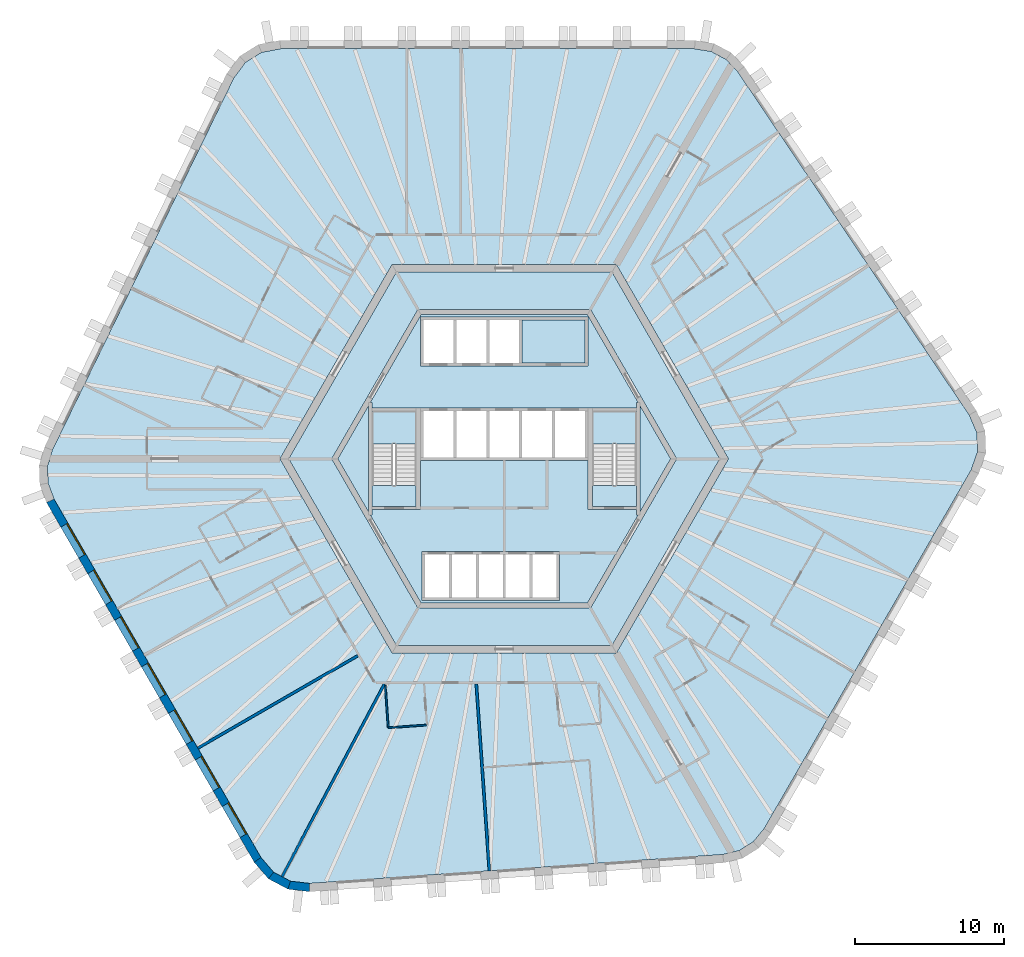
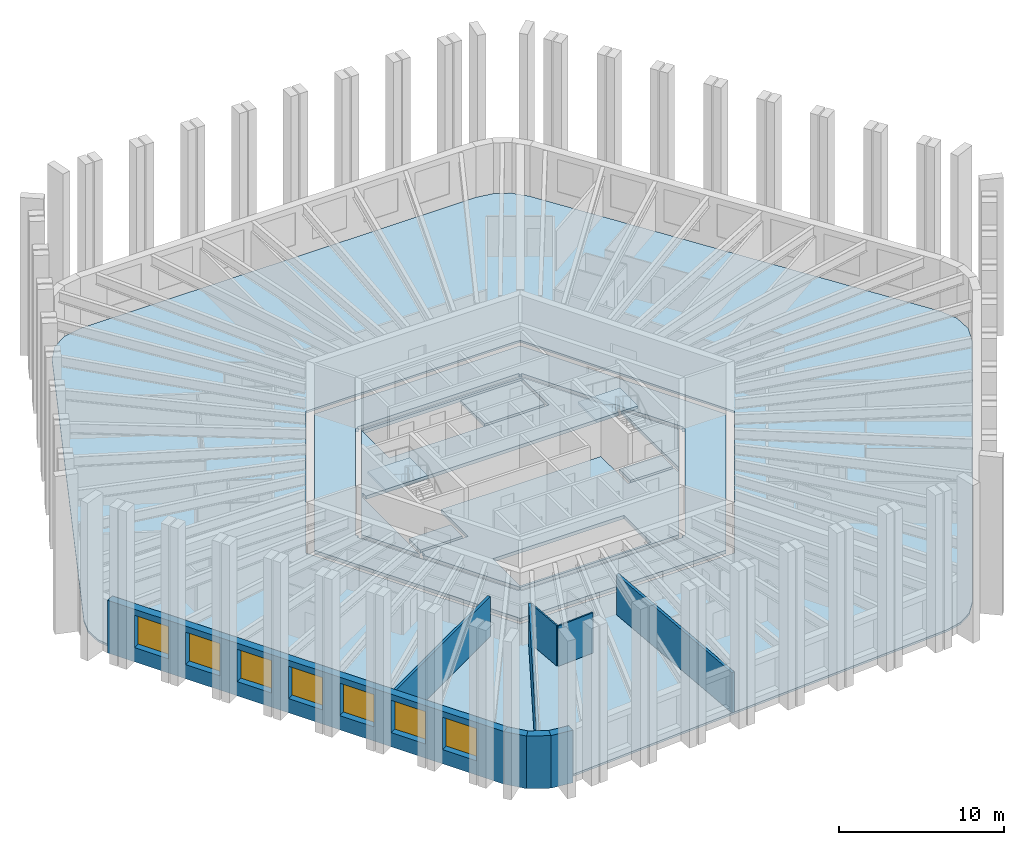
# One storey, part 2 of 10: 11 slabs, 9 walls, 7 windows, 7 openings, 2 elements without a shape of their own.
"""IFC4 building model written with IfcOpenShell, lengths in metres."""

from ifc_helpers import new_model, si_unit, direction, frame, frame_2d, origin, place, context, subcontext, project, spatial, polyline, rectangle, outline, extrude, material, layer, layer_set, type_object, element, fill, aggregate, save


model = new_model("IFC4")

# Units and contexts
model_context = context("Model", 3, precision=1e-05, world=origin(), true_north=direction((0.0, 1.0)))
body_context = subcontext(model_context, "Body", "Model", "MODEL_VIEW")
ifc_project = project(units=[si_unit("LENGTHUNIT", "METRE"), si_unit("AREAUNIT", "SQUARE_METRE"), si_unit("VOLUMEUNIT", "CUBIC_METRE"), si_unit("PLANEANGLEUNIT", "RADIAN"), si_unit("MASSUNIT", "GRAM", prefix="KILO")], contexts=[model_context])

# Site, building, storey
site_placement = place(None, origin())
site = spatial("IfcSite", under=ifc_project, at=site_placement, CompositionType="ELEMENT")
building_placement = place(site_placement, origin())
building = spatial("IfcBuilding", under=site, at=building_placement, Name="Tarnside Tower", CompositionType="ELEMENT")
storey_placement = place(building_placement, frame((0.0, 0.0, 164.39990234375)))
storey = spatial("IfcBuildingStorey", under=building, at=storey_placement, Name="L38", CompositionType="ELEMENT", Elevation=164.39990234375)

# Slabs
ifc_material_1 = material(Name="Concrete C35/45", Category="concrete")
ifc_layer_1 = layer(ifc_material_1, 0.14990234375)
ifc_layer_set_1 = layer_set([ifc_layer_1], Name="Composite floor slab 150")
slab_type_1 = type_object("IfcSlabType", Name="Composite floor slab 150", PredefinedType="FLOOR", material=ifc_layer_set_1)
slab_1_placement = place(storey_placement, frame((0.0, 0.0, -0.14990234375)))
element("IfcSlab", 1, at=slab_1_placement, inside=storey, type_object=slab_type_1, Name="Floor slab L38", PredefinedType="FLOOR", context=body_context, shape_type="SweptSolid", body=[
    extrude(outline(polyline([(13.864013671875, 27.264892578125), (14.85107421875, 26.740234375), (15.6337890625, 25.91064453125), (31.12890625, 2.938232421875), (31.644287109375, 1.7431640625), (31.68896484375, 0.468505859375), (31.258056640625, -0.759521484375), (17.403076171875, -24.7568359375), (16.68017578125, -25.63916015625), (15.732177734375, -26.2314453125), (14.622314453125, -26.494384765625), (-13.02001953125, -28.427490234375), (-14.3125, -28.2763671875), (-15.438720703125, -27.677490234375), (-16.286865234375, -26.6904296875), (-30.1416015625, -2.693115234375), (-30.544189453125, -1.6259765625), (-30.583251953125, -0.5087890625), (-30.256103515625, 0.583984375), (-18.10888671875, 25.4892578125), (-17.331787109375, 26.533203125), (-16.250244140625, 27.208984375), (-14.97119140625, 27.449951171875), (12.738525390625, 27.449951171875), (13.864013671875, 27.264892578125)]), holes=[polyline([(-15.010986328125, 0.0), (-7.505615234375, -13.0), (7.505615234375, -13.0), (15.010986328125, 0.0), (7.505615234375, 13.0), (-7.505615234375, 13.0), (-15.010986328125, 0.0)])]), origin(), (0.0, 0.0, 1.0), 0.14990234375),
])
ifc_material_2 = material(Name="Concrete C40/50", Category="concrete")
ifc_layer_2 = layer(ifc_material_2, 0.25)
ifc_layer_set_2 = layer_set([ifc_layer_2], Name="Core slab C40/50")
slab_type_2 = type_object("IfcSlabType", Name="Core slab C40/50", PredefinedType="FLOOR", material=ifc_layer_set_2)
slab_2_placement = place(storey_placement, frame((0.0, 0.0, -0.25)))
element("IfcSlab", 2, at=slab_2_placement, inside=storey, type_object=slab_type_2, Name="L38 core floor slab 1", PredefinedType="FLOOR", context=body_context, shape_type="SweptSolid", body=[
    extrude(outline(polyline([(-7.216796875, 12.5), (7.216796875, 12.5), (14.433837890625, 0.0), (7.216796875, -12.5), (-7.216796875, -12.5), (-14.433837890625, 0.0), (-7.216796875, 12.5)]), holes=[polyline([(5.823974609375, -9.91259765625), (11.49658203125, -0.08740234375), (11.344970703125, 0.0), (11.49658203125, 0.08740234375), (5.823974609375, 9.91259765625), (5.672607421875, 9.824951171875), (5.672607421875, 10.0), (-5.672607421875, 10.0), (-5.672607421875, 9.824951171875), (-5.823974609375, 9.91259765625), (-11.49658203125, 0.08740234375), (-11.344970703125, 0.0), (-11.49658203125, -0.08740234375), (-5.823974609375, -9.91259765625), (-5.672607421875, -9.824951171875), (-5.672607421875, -10.0), (5.672607421875, -10.0), (5.672607421875, -9.824951171875), (5.823974609375, -9.91259765625)])]), origin(), (0.0, 0.0, 1.0), 0.25),
])
slab_3_placement = place(storey_placement, frame((0.0, 0.0, -0.25)))
element("IfcSlab", 3, at=slab_3_placement, inside=storey, type_object=slab_type_2, Name="L38 core floor slab 2", PredefinedType="FLOOR", context=body_context, shape_type="SweptSolid", body=[
    extrude(outline(polyline([(-8.97509765625, 3.7548828125), (-5.5712890625, 9.64990234375), (5.5712890625, 9.64990234375), (8.97509765625, 3.7548828125), (8.85009765625, 3.7548828125), (8.85009765625, 3.39990234375), (5.89990234375, 3.39990234375), (5.60009765625, 3.39990234375), (5.60009765625, 3.39990234375), (-5.60009765625, 3.39990234375), (-5.89990234375, 3.39990234375), (-8.85009765625, 3.39990234375), (-8.85009765625, 3.7548828125), (-8.97509765625, 3.7548828125)]), holes=[polyline([(-5.60009765625, 6.199951171875), (5.60009765625, 6.199951171875), (5.60009765625, 6.39990234375), (5.60009765625, 9.300048828125), (5.60009765625, 9.5), (-5.60009765625, 9.5), (-5.60009765625, 9.300048828125), (-5.60009765625, 6.39990234375), (-5.60009765625, 6.199951171875)])]), origin(), (0.0, 0.0, 1.0), 0.25),
])
slab_4_placement = place(storey_placement, frame((0.0, 0.0, -0.25)))
element("IfcSlab", 4, at=slab_4_placement, inside=storey, type_object=slab_type_2, Name="L38 core floor slab 3", PredefinedType="FLOOR", context=body_context, shape_type="SweptSolid", body=[
    extrude(outline(polyline([(5.60009765625, -3.39990234375), (5.89990234375, -3.39990234375), (8.85009765625, -3.39990234375), (8.85009765625, -3.7548828125), (8.97509765625, -3.7548828125), (5.5712890625, -9.64990234375), (-5.5712890625, -9.64990234375), (-8.97509765625, -3.7548828125), (-8.85009765625, -3.7548828125), (-8.85009765625, -3.39990234375), (-5.89990234375, -3.39990234375), (-5.60009765625, -3.39990234375), (-5.60009765625, -0.10009765625), (5.60009765625, -0.10009765625), (5.60009765625, -3.39990234375)]), holes=[polyline([(-5.5, -9.300048828125), (-5.5, -9.5), (3.699951171875, -9.5), (3.699951171875, -9.300048828125), (3.699951171875, -6.39990234375), (3.699951171875, -6.199951171875), (-5.5, -6.199951171875), (-5.5, -6.39990234375), (-5.5, -9.300048828125)])]), origin(), (0.0, 0.0, 1.0), 0.25),
])
slab_5_placement = place(storey_placement, frame((0.0, 0.0, -0.25)))
element("IfcSlab", 5, at=slab_5_placement, inside=storey, type_object=slab_type_2, Name="L38 core floor slab 4", PredefinedType="FLOOR", context=body_context, shape_type="SweptSolid", body=[
    extrude(outline(polyline([(-11.142822265625, 0.0), (-9.10009765625, 3.538330078125), (-9.10009765625, -3.538330078125), (-11.142822265625, 0.0)])), origin(), (0.0, 0.0, 1.0), 0.25),
])
slab_6_placement = place(storey_placement, frame((0.0, 0.0, -0.25)))
element("IfcSlab", 6, at=slab_6_placement, inside=storey, type_object=slab_type_2, Name="L38 core floor slab 5", PredefinedType="FLOOR", context=body_context, shape_type="SweptSolid", body=[
    extrude(outline(polyline([(-8.85009765625, -1.800048828125), (-5.89990234375, -1.800048828125), (-5.89990234375, -3.199951171875), (-8.85009765625, -3.199951171875), (-8.85009765625, -1.800048828125)])), origin(), (0.0, 0.0, 1.0), 0.25),
])
slab_7_placement = place(storey_placement, frame((0.0, 0.0, -0.25)))
element("IfcSlab", 7, at=slab_7_placement, inside=storey, type_object=slab_type_2, Name="L38 core floor slab 6", PredefinedType="FLOOR", context=body_context, shape_type="SweptSolid", body=[
    extrude(outline(polyline([(5.89990234375, -3.199951171875), (5.89990234375, -1.800048828125), (8.85009765625, -1.800048828125), (8.85009765625, -3.199951171875), (5.89990234375, -3.199951171875)])), origin(), (0.0, 0.0, 1.0), 0.25),
])
slab_8_placement = place(storey_placement, frame((0.0, 0.0, -0.25)))
element("IfcSlab", 8, at=slab_8_placement, inside=storey, type_object=slab_type_2, Name="L38 core floor slab 7", PredefinedType="FLOOR", context=body_context, shape_type="SweptSolid", body=[
    extrude(outline(polyline([(9.10009765625, -3.538330078125), (9.10009765625, 3.538330078125), (11.142822265625, 0.0), (9.10009765625, -3.538330078125)])), origin(), (0.0, 0.0, 1.0), 0.25),
])
slab_9_placement = place(storey_placement, frame((0.0, 0.0, -0.25)))
element("IfcSlab", 9, at=slab_9_placement, inside=storey, type_object=slab_type_2, Name="L38 core floor slab 8", PredefinedType="FLOOR", context=body_context, shape_type="SweptSolid", body=[
    extrude(outline(polyline([(5.39990234375, 9.300048828125), (5.39990234375, 6.39990234375), (1.199951171875, 6.39990234375), (1.199951171875, 9.300048828125), (5.39990234375, 9.300048828125)])), origin(), (0.0, 0.0, 1.0), 0.25),
])

# Stair, slab
stair_type = type_object("IfcStairType", Name="Exit stair 1400 clear", PredefinedType="HALF_TURN_STAIR", material=ifc_material_2)
stair_1_placement = place(storey_placement, origin())
stair_1 = element("IfcStair", 10, at=stair_1_placement, inside=storey, type_object=stair_type, Name="L38 Exit stair 1", PredefinedType="HALF_TURN_STAIR")
ifc_layer_3 = layer(ifc_material_2, 0.199951171875)
ifc_layer_set_3 = layer_set([ifc_layer_3], Name="Stair landing 200 C40/50")
slab_type_3 = type_object("IfcSlabType", Name="Stair landing 200 C40/50", PredefinedType="LANDING", material=ifc_layer_set_3)
slab_10_placement = place(storey_placement, frame((0.0, 0.0, 1.75)))
slab_10 = element("IfcSlab", 11, at=slab_10_placement, type_object=slab_type_3, Name="ST1 landing 1", PredefinedType="LANDING", context=body_context, shape_type="SweptSolid", body=[
    extrude(outline(polyline([(8.85009765625, 1.0), (8.85009765625, 3.199951171875), (5.89990234375, 3.199951171875), (5.89990234375, 1.0), (8.85009765625, 1.0)])), origin(), (0.0, 0.0, 1.0), 0.2001953125),
])
aggregate(stair_1, [slab_10])

stair_2_placement = place(storey_placement, origin())
stair_2 = element("IfcStair", 12, at=stair_2_placement, inside=storey, type_object=stair_type, Name="L38 Exit stair 2", PredefinedType="HALF_TURN_STAIR")
slab_11_placement = place(storey_placement, frame((0.0, 0.0, 1.75)))
slab_11 = element("IfcSlab", 13, at=slab_11_placement, type_object=slab_type_3, Name="ST2 landing 1", PredefinedType="LANDING", context=body_context, shape_type="SweptSolid", body=[
    extrude(outline(polyline([(-5.89990234375, 1.0), (-5.89990234375, 3.199951171875), (-8.85009765625, 3.199951171875), (-8.85009765625, 1.0), (-5.89990234375, 1.0)])), origin(), (0.0, 0.0, 1.0), 0.2001953125),
])
aggregate(stair_2, [slab_11])

# Walls
ifc_material_3 = material(Name="Gypsum board partition on steel studs", Category="steel")
ifc_layer_4 = layer(ifc_material_3, 0.10009765625)
ifc_layer_set_4 = layer_set([ifc_layer_4], Name="Bathroom wall 100")
wall_type_1 = type_object("IfcWallType", Name="Bathroom wall 100", PredefinedType="PARTITIONING", material=ifc_layer_set_4)
wall_1_placement = place(storey_placement, frame((-5.2216796875, -17.82763671875, 0.0), z_axis=(0.0, 0.0, 1.0), x_axis=(-0.997567829494, -0.069702407128, 0.0)))
element("IfcWall", 14, at=wall_1_placement, inside=storey, type_object=wall_type_1, Name="Bathroom wall 12077", PredefinedType="PARTITIONING", context=body_context, shape_type="SweptSolid", body=[
    extrude(rectangle(XDim=2.5498046875, YDim=0.10009765625, at=frame_2d((1.27490234375, 0.0))), origin(), (0.0, 0.0, 1.0), 2.98779296875),
])
wall_2_placement = place(storey_placement, frame((-7.76904296875, -17.95556640625, 0.0), z_axis=(0.0, 0.0, 1.0), x_axis=(-0.069756058123, 0.997564079323, 0.0)))
element("IfcWall", 15, at=wall_2_placement, inside=storey, type_object=wall_type_1, Name="Bathroom wall 12078", PredefinedType="PARTITIONING", context=body_context, shape_type="SweptSolid", body=[
    extrude(rectangle(XDim=2.79296875, YDim=0.10009765625, at=frame_2d((1.396484375, 0.0))), origin(), (0.0, 0.0, 1.0), 2.98779296875),
])
ifc_layer_5 = layer(ifc_material_3, 0.179931640625)
ifc_layer_set_5 = layer_set([ifc_layer_5], Name="Demising wall 180 EI 60")
wall_type_2 = type_object("IfcWallType", Name="Demising wall 180 EI 60", PredefinedType="PARTITIONING", material=ifc_layer_set_5)
wall_3_placement = place(storey_placement, frame((-20.513427734375, -19.36962890625, 0.0), z_axis=(0.0, 0.0, 1.0), x_axis=(0.866024931941, 0.500000817256, 0.0)))
element("IfcWall", 16, at=wall_3_placement, inside=storey, type_object=wall_type_2, Name="Demising wall 12074", PredefinedType="PARTITIONING", context=body_context, shape_type="SweptSolid", body=[
    extrude(rectangle(XDim=12.375, YDim=0.179931640625, at=frame_2d((6.1875, 0.0))), origin(), (0.0, 0.0, 1.0), 2.98779296875),
])
wall_4_placement = place(storey_placement, frame((-14.875732421875, -27.97705078125, 0.0), z_axis=(0.0, 0.0, 1.0), x_axis=(0.469468328163, 0.882949312731, 0.0)))
element("IfcWall", 17, at=wall_4_placement, inside=storey, type_object=wall_type_2, Name="Demising wall 12075", PredefinedType="PARTITIONING", context=body_context, shape_type="SweptSolid", body=[
    extrude(rectangle(XDim=14.612548828125, YDim=0.179931640625, at=frame_2d((7.30615234375, 0.0))), origin(), (0.0, 0.0, 1.0), 2.98779296875),
])
wall_5_placement = place(storey_placement, frame((-0.99609375, -27.586669921875, 0.0), z_axis=(0.0, 0.0, 1.0), x_axis=(-0.069744671963, 0.997564875451, 0.0)))
element("IfcWall", 18, at=wall_5_placement, inside=storey, type_object=wall_type_2, Name="Demising wall 12079", PredefinedType="PARTITIONING", context=body_context, shape_type="SweptSolid", body=[
    extrude(rectangle(XDim=12.542236328125, YDim=0.179931640625, at=frame_2d((6.27099609375, 0.0))), origin(), (0.0, 0.0, 1.0), 2.98779296875),
])

# Wall, openings, windows
ifc_material_4 = material(Name="Facing brick", Category="masonry")
ifc_layer_6 = layer(ifc_material_4, 0.10205078125)
ifc_material_5 = material(Name="Concrete C60/75 precast", Category="concrete")
ifc_layer_7 = layer(ifc_material_5, 0.347900390625)
ifc_material_6 = material(Name="Mineral wool insulation")
ifc_layer_8 = layer(ifc_material_6, 0.10009765625)
ifc_layer_set_6 = layer_set([ifc_layer_6, ifc_layer_7, ifc_layer_8], Name="Tube wall 550 brick faced")
wall_type_3 = type_object("IfcWallType", Name="Tube wall 550 brick faced", PredefinedType="SOLIDWALL", material=ifc_layer_set_6)
wall_6_placement = place(storey_placement, frame((-30.39111328125, -2.81103515625, -0.14990234375), z_axis=(0.0, 0.0, 1.0), x_axis=(0.499998569178, -0.866026229868, 0.0)))
wall_6 = element("IfcWall", 19, at=wall_6_placement, inside=storey, type_object=wall_type_3, Name="Tube wall L38 F3 flush 08", PredefinedType="SOLIDWALL", context=body_context, shape_type="SweptSolid", body=[
    extrude(outline(polyline([(-0.0224609375, -0.27490234375), (27.783447265625, -0.27490234375), (27.732177734375, 0.27490234375), (0.0224609375, 0.27490234375), (-0.0224609375, -0.27490234375)])), origin(), (0.0, 0.0, 1.0), 3.89990234375),
])
opening_1_placement = place(wall_6_placement, frame((1.87890625, 0.0, 1.050048828125)))
opening_1 = element("IfcOpeningElement", 20, at=opening_1_placement, cuts=wall_6, Name="Opening WH", PredefinedType="OPENING", context=body_context, shape_type="SweptSolid", body=[
    extrude(rectangle(XDim=2.39990234375, YDim=2.39990234375, at=frame_2d((1.199951171875, 1.199951171875))), frame((0.0, 0.28515625, 0.0), z_axis=(0.0, -1.0, 0.0), x_axis=(1.0, 0.0, 0.0)), (0.0, 0.0, 1.0), 0.570068359375),
])
opening_2_placement = place(wall_6_placement, frame((5.47900390625, 0.0, 1.050048828125)))
opening_2 = element("IfcOpeningElement", 21, at=opening_2_placement, cuts=wall_6, Name="Opening WH", PredefinedType="OPENING", context=body_context, shape_type="SweptSolid", body=[
    extrude(rectangle(XDim=2.39990234375, YDim=2.39990234375, at=frame_2d((1.199951171875, 1.199951171875))), frame((0.0, 0.28515625, 0.0), z_axis=(0.0, -1.0, 0.0), x_axis=(1.0, 0.0, 0.0)), (0.0, 0.0, 1.0), 0.570068359375),
])
opening_3_placement = place(wall_6_placement, frame((9.078857421875, 0.0, 1.050048828125)))
opening_3 = element("IfcOpeningElement", 22, at=opening_3_placement, cuts=wall_6, Name="Opening WH", PredefinedType="OPENING", context=body_context, shape_type="SweptSolid", body=[
    extrude(rectangle(XDim=2.39990234375, YDim=2.39990234375, at=frame_2d((1.199951171875, 1.199951171875))), frame((0.0, 0.28515625, 0.0), z_axis=(0.0, -1.0, 0.0), x_axis=(1.0, 0.0, 0.0)), (0.0, 0.0, 1.0), 0.570068359375),
])
opening_4_placement = place(wall_6_placement, frame((12.678955078125, 0.0, 1.050048828125)))
opening_4 = element("IfcOpeningElement", 23, at=opening_4_placement, cuts=wall_6, Name="Opening WH", PredefinedType="OPENING", context=body_context, shape_type="SweptSolid", body=[
    extrude(rectangle(XDim=2.39990234375, YDim=2.39990234375, at=frame_2d((1.199951171875, 1.199951171875))), frame((0.0, 0.28515625, 0.0), z_axis=(0.0, -1.0, 0.0), x_axis=(1.0, 0.0, 0.0)), (0.0, 0.0, 1.0), 0.570068359375),
])
opening_5_placement = place(wall_6_placement, frame((16.27880859375, 0.0, 1.050048828125)))
opening_5 = element("IfcOpeningElement", 24, at=opening_5_placement, cuts=wall_6, Name="Opening WH", PredefinedType="OPENING", context=body_context, shape_type="SweptSolid", body=[
    extrude(rectangle(XDim=2.39990234375, YDim=2.39990234375, at=frame_2d((1.199951171875, 1.199951171875))), frame((0.0, 0.28515625, 0.0), z_axis=(0.0, -1.0, 0.0), x_axis=(1.0, 0.0, 0.0)), (0.0, 0.0, 1.0), 0.570068359375),
])
opening_6_placement = place(wall_6_placement, frame((19.87890625, 0.0, 1.050048828125)))
opening_6 = element("IfcOpeningElement", 25, at=opening_6_placement, cuts=wall_6, Name="Opening WH", PredefinedType="OPENING", context=body_context, shape_type="SweptSolid", body=[
    extrude(rectangle(XDim=2.39990234375, YDim=2.39990234375, at=frame_2d((1.199951171875, 1.199951171875))), frame((0.0, 0.28515625, 0.0), z_axis=(0.0, -1.0, 0.0), x_axis=(1.0, 0.0, 0.0)), (0.0, 0.0, 1.0), 0.570068359375),
])
opening_7_placement = place(wall_6_placement, frame((23.47900390625, 0.0, 1.050048828125)))
opening_7 = element("IfcOpeningElement", 26, at=opening_7_placement, cuts=wall_6, Name="Opening WH", PredefinedType="OPENING", context=body_context, shape_type="SweptSolid", body=[
    extrude(rectangle(XDim=2.39990234375, YDim=2.39990234375, at=frame_2d((1.199951171875, 1.199951171875))), frame((0.0, 0.28515625, 0.0), z_axis=(0.0, -1.0, 0.0), x_axis=(1.0, 0.0, 0.0)), (0.0, 0.0, 1.0), 0.570068359375),
])
ifc_material_7 = material(Name="Aluminium-framed double glazing", Category="aluminium")
window_type = type_object("IfcWindowType", Name="Hotel window 2400 x 2400", PartitioningType="DOUBLE_PANEL_VERTICAL", PredefinedType="WINDOW", material=ifc_material_7)
window_1_placement = place(opening_1_placement, frame((0.0, 0.205078125, 0.0)))
window_1 = element("IfcWindow", 27, at=window_1_placement, inside=storey, type_object=window_type, Name="E.WN.L38.F3.00", OverallHeight=2.39990234375, OverallWidth=2.39990234375, PartitioningType="DOUBLE_PANEL_VERTICAL", PredefinedType="WINDOW", context=body_context, shape_type="SweptSolid", body=[
    extrude(rectangle(XDim=2.39990234375, YDim=2.39990234375, at=frame_2d((1.199951171875, 1.199951171875))), frame((0.0, 0.030029296875, 0.0), z_axis=(0.0, -1.0, 0.0), x_axis=(1.0, 0.0, 0.0)), (0.0, 0.0, 1.0), 0.06005859375),
])
fill(opening_1, window_1)
window_2_placement = place(opening_2_placement, frame((0.0, 0.205078125, 0.0)))
window_2 = element("IfcWindow", 28, at=window_2_placement, inside=storey, type_object=window_type, Name="E.WN.L38.F3.01", OverallHeight=2.39990234375, OverallWidth=2.39990234375, PartitioningType="DOUBLE_PANEL_VERTICAL", PredefinedType="WINDOW", context=body_context, shape_type="SweptSolid", body=[
    extrude(rectangle(XDim=2.39990234375, YDim=2.39990234375, at=frame_2d((1.199951171875, 1.199951171875))), frame((0.0, 0.030029296875, 0.0), z_axis=(0.0, -1.0, 0.0), x_axis=(1.0, 0.0, 0.0)), (0.0, 0.0, 1.0), 0.06005859375),
])
fill(opening_2, window_2)
window_3_placement = place(opening_3_placement, frame((0.0, 0.205078125, 0.0)))
window_3 = element("IfcWindow", 29, at=window_3_placement, inside=storey, type_object=window_type, Name="E.WN.L38.F3.02", OverallHeight=2.39990234375, OverallWidth=2.39990234375, PartitioningType="DOUBLE_PANEL_VERTICAL", PredefinedType="WINDOW", context=body_context, shape_type="SweptSolid", body=[
    extrude(rectangle(XDim=2.39990234375, YDim=2.39990234375, at=frame_2d((1.199951171875, 1.199951171875))), frame((0.0, 0.030029296875, 0.0), z_axis=(0.0, -1.0, 0.0), x_axis=(1.0, 0.0, 0.0)), (0.0, 0.0, 1.0), 0.06005859375),
])
fill(opening_3, window_3)
window_4_placement = place(opening_4_placement, frame((0.0, 0.205078125, 0.0)))
window_4 = element("IfcWindow", 30, at=window_4_placement, inside=storey, type_object=window_type, Name="E.WN.L38.F3.03", OverallHeight=2.39990234375, OverallWidth=2.39990234375, PartitioningType="DOUBLE_PANEL_VERTICAL", PredefinedType="WINDOW", context=body_context, shape_type="SweptSolid", body=[
    extrude(rectangle(XDim=2.39990234375, YDim=2.39990234375, at=frame_2d((1.199951171875, 1.199951171875))), frame((0.0, 0.030029296875, 0.0), z_axis=(0.0, -1.0, 0.0), x_axis=(1.0, 0.0, 0.0)), (0.0, 0.0, 1.0), 0.06005859375),
])
fill(opening_4, window_4)
window_5_placement = place(opening_5_placement, frame((0.0, 0.205078125, 0.0)))
window_5 = element("IfcWindow", 31, at=window_5_placement, inside=storey, type_object=window_type, Name="E.WN.L38.F3.04", OverallHeight=2.39990234375, OverallWidth=2.39990234375, PartitioningType="DOUBLE_PANEL_VERTICAL", PredefinedType="WINDOW", context=body_context, shape_type="SweptSolid", body=[
    extrude(rectangle(XDim=2.39990234375, YDim=2.39990234375, at=frame_2d((1.199951171875, 1.199951171875))), frame((0.0, 0.030029296875, 0.0), z_axis=(0.0, -1.0, 0.0), x_axis=(1.0, 0.0, 0.0)), (0.0, 0.0, 1.0), 0.06005859375),
])
fill(opening_5, window_5)
window_6_placement = place(opening_6_placement, frame((0.0, 0.205078125, 0.0)))
window_6 = element("IfcWindow", 32, at=window_6_placement, inside=storey, type_object=window_type, Name="E.WN.L38.F3.05", OverallHeight=2.39990234375, OverallWidth=2.39990234375, PartitioningType="DOUBLE_PANEL_VERTICAL", PredefinedType="WINDOW", context=body_context, shape_type="SweptSolid", body=[
    extrude(rectangle(XDim=2.39990234375, YDim=2.39990234375, at=frame_2d((1.199951171875, 1.199951171875))), frame((0.0, 0.030029296875, 0.0), z_axis=(0.0, -1.0, 0.0), x_axis=(1.0, 0.0, 0.0)), (0.0, 0.0, 1.0), 0.06005859375),
])
fill(opening_6, window_6)
window_7_placement = place(opening_7_placement, frame((0.0, 0.205078125, 0.0)))
window_7 = element("IfcWindow", 33, at=window_7_placement, inside=storey, type_object=window_type, Name="E.WN.L38.F3.06", OverallHeight=2.39990234375, OverallWidth=2.39990234375, PartitioningType="DOUBLE_PANEL_VERTICAL", PredefinedType="WINDOW", context=body_context, shape_type="SweptSolid", body=[
    extrude(rectangle(XDim=2.39990234375, YDim=2.39990234375, at=frame_2d((1.199951171875, 1.199951171875))), frame((0.0, 0.030029296875, 0.0), z_axis=(0.0, -1.0, 0.0), x_axis=(1.0, 0.0, 0.0)), (0.0, 0.0, 1.0), 0.06005859375),
])
fill(opening_7, window_7)

# Walls
wall_7_placement = place(storey_placement, frame((-16.51220703125, -26.85009765625, -0.14990234375), z_axis=(0.0, 0.0, 1.0), x_axis=(0.651621950847, -0.758543890078, 0.0)))
element("IfcWall", 34, at=wall_7_placement, inside=storey, type_object=wall_type_3, Name="Tube wall L38 F3 chord 09", PredefinedType="SOLIDWALL", context=body_context, shape_type="SweptSolid", body=[
    extrude(outline(polyline([(-0.025634765625, -0.27490234375), (1.430908203125, -0.27490234375), (1.327392578125, 0.27490234375), (0.025634765625, 0.27490234375), (-0.025634765625, -0.27490234375)])), origin(), (0.0, 0.0, 1.0), 3.89990234375),
])
wall_8_placement = place(storey_placement, frame((-15.613525390625, -27.896240234375, -0.14990234375), z_axis=(0.0, 0.0, 1.0), x_axis=(0.882994189209, -0.469383917304, 0.0)))
element("IfcWall", 35, at=wall_8_placement, inside=storey, type_object=wall_type_3, Name="Tube wall L38 F3 chord 10", PredefinedType="SOLIDWALL", context=body_context, shape_type="SweptSolid", body=[
    extrude(outline(polyline([(-0.0517578125, -0.27490234375), (1.4306640625, -0.27490234375), (1.3271484375, 0.27490234375), (0.0517578125, 0.27490234375), (-0.0517578125, -0.27490234375)])), origin(), (0.0, 0.0, 1.0), 3.89990234375),
])
wall_9_placement = place(storey_placement, frame((-14.39599609375, -28.54345703125, -0.14990234375), z_axis=(0.0, 0.0, 1.0), x_axis=(0.993232537394, -0.11614269956, 0.0)))
element("IfcWall", 36, at=wall_9_placement, inside=storey, type_object=wall_type_3, Name="Tube wall L38 F3 chord 11", PredefinedType="SOLIDWALL", context=body_context, shape_type="SweptSolid", body=[
    extrude(outline(polyline([(-0.0517578125, -0.27490234375), (1.404541015625, -0.27490234375), (1.353271484375, 0.27490234375), (0.0517578125, 0.27490234375), (-0.0517578125, -0.27490234375)])), origin(), (0.0, 0.0, 1.0), 3.89990234375),
])

save(model, "model.ifc")
